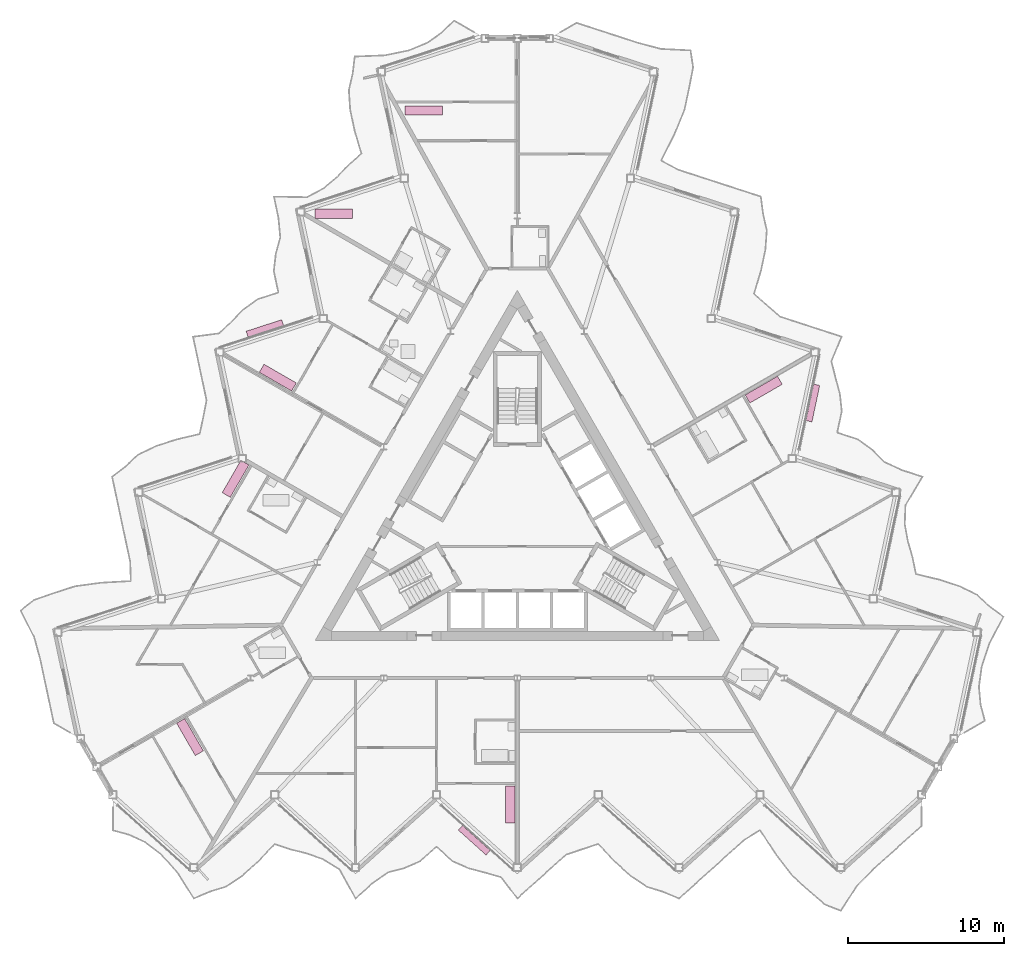
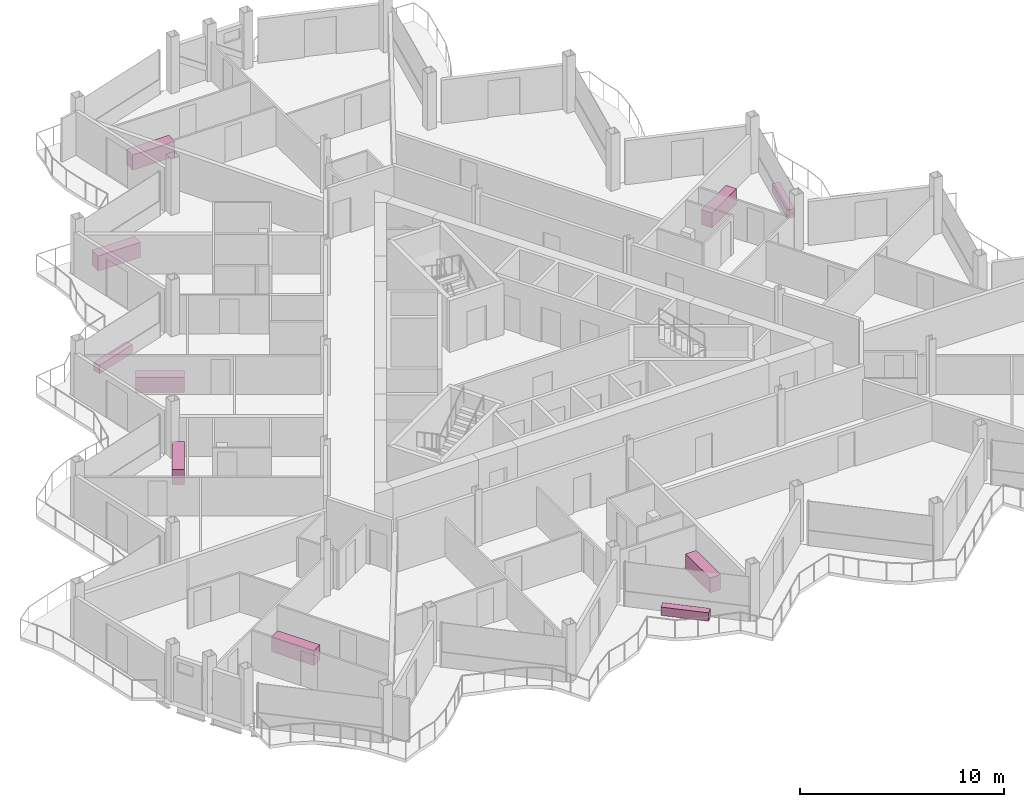
# One storey, part 26 of 26: 10 furniture elements.
"""IFC4 building model written with IfcOpenShell, lengths in metres."""

from ifc_helpers import new_model, si_unit, direction, frame, origin, origin_2d, place, context, subcontext, project, spatial, rectangle, extrude, material, type_object, element, save


model = new_model("IFC4")

# Units and contexts
model_context = context("Model", 3, precision=1e-05, world=origin(), true_north=direction((0.0, 1.0)))
body_context = subcontext(model_context, "Body", "Model", "MODEL_VIEW")
ifc_project = project(units=[si_unit("LENGTHUNIT", "METRE"), si_unit("AREAUNIT", "SQUARE_METRE"), si_unit("VOLUMEUNIT", "CUBIC_METRE"), si_unit("PLANEANGLEUNIT", "RADIAN"), si_unit("MASSUNIT", "GRAM", prefix="KILO")], contexts=[model_context])

# Site, building, storey
site_placement = place(None, origin())
site = spatial("IfcSite", under=ifc_project, at=site_placement, CompositionType="ELEMENT")
building_placement = place(site_placement, origin())
building = spatial("IfcBuilding", under=site, at=building_placement, Name="Cormorant Prow Tower", CompositionType="ELEMENT")
storey_placement = place(building_placement, frame((0.0, 0.0, 384.800048828125)))
storey = spatial("IfcBuildingStorey", under=building, at=storey_placement, Name="L87", CompositionType="ELEMENT", Elevation=384.800048828125)

# Furniture
ifc_material_1 = material(Name="Terracotta", Category="masonry")
furniture_type_1 = type_object("IfcFurnitureType", Name="Balcony planter 2400x400x500", AssemblyPlace="NOTDEFINED", PredefinedType="USERDEFINED", material=ifc_material_1)
for number, where, z_axis, x_axis, name in (
    (1, (-2.767333984375, -20.33642578125, 0.0), (0.0, 0.0, 1.0), (0.743144827638, -0.669130603959, 0.0), "Balcony planter S04"),
    (2, (18.99560546875, 7.771728515625, 0.0), (0.0, 0.0, 1.0), (0.207911756835, 0.978147586701, 0.0), "Balcony planter ENE04"),
    (3, (-16.228271484375, 12.564697265625, 0.0), (0.0, 0.0, 1.0), (-0.951056548553, -0.309016895096, 0.0), "Balcony planter WNW04"),
):
    element("IfcFurniture", number, at=place(storey_placement, frame(where, z_axis=z_axis, x_axis=x_axis)), inside=storey, type_object=furniture_type_1, Name=name, ObjectType="PLANTER", PredefinedType="USERDEFINED", context=body_context, shape_type="SweptSolid", body=[
        extrude(rectangle(XDim=2.39990234375, YDim=0.39990234375, at=origin_2d()), origin(), (0.0, 0.0, 1.0), 0.5),
    ])
ifc_material_2 = material(Name="Timber joinery", Category="wood")
furniture_type_2 = type_object("IfcFurnitureType", Name="Kitchen counter 2400x600", AssemblyPlace="NOTDEFINED", PredefinedType="NOTDEFINED", material=ifc_material_2)
for number, where, z_axis, x_axis, name in (
    (4, (-0.445068359375, -18.0341796875, 0.0), (0.0, 0.0, 1.0), (0.0, -1.0, 0.0), "Kitchen counter"),
    (5, (15.840576171875, 8.631591796875, 0.0), (0.0, 0.0, 1.0), (0.866025403784, 0.5, 0.0), "Kitchen counter"),
    (6, (-6.0068359375, 26.57421875, 0.0), (0.0, 0.0, 1.0), (1.0, 0.0, 0.0), "Kitchen counter"),
    (7, (-11.796142578125, 19.939208984375, 0.0), (0.0, 0.0, 1.0), (1.0, 0.0, 0.0), "Kitchen counter"),
    (8, (-15.3955078125, 9.402587890625, 0.0), (0.0, 0.0, 1.0), (-0.866025403784, 0.5, 0.0), "Kitchen counter"),
    (9, (-18.111083984375, 2.89892578125, 0.0), (0.0, 0.0, 1.0), (-0.5, -0.866025403784, 0.0), "Kitchen counter"),
    (10, (-21.0419921875, -13.701904296875, 0.0), (0.0, 0.0, 1.0), (0.5, -0.866025403784, 0.0), "Kitchen counter"),
):
    element("IfcFurniture", number, at=place(storey_placement, frame(where, z_axis=z_axis, x_axis=x_axis)), inside=storey, type_object=furniture_type_2, Name=name, PredefinedType="NOTDEFINED", context=body_context, shape_type="SweptSolid", body=[
        extrude(rectangle(XDim=2.39990234375, YDim=0.60009765625, at=origin_2d()), origin(), (0.0, 0.0, 1.0), 0.89990234375),
    ])

save(model, "model.ifc")
